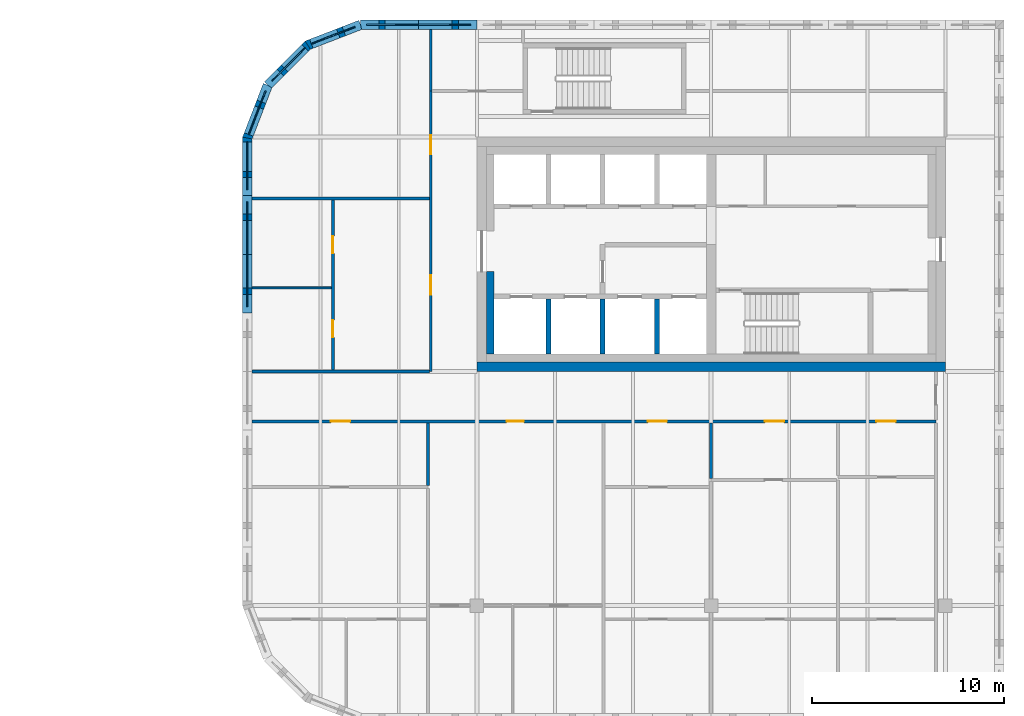
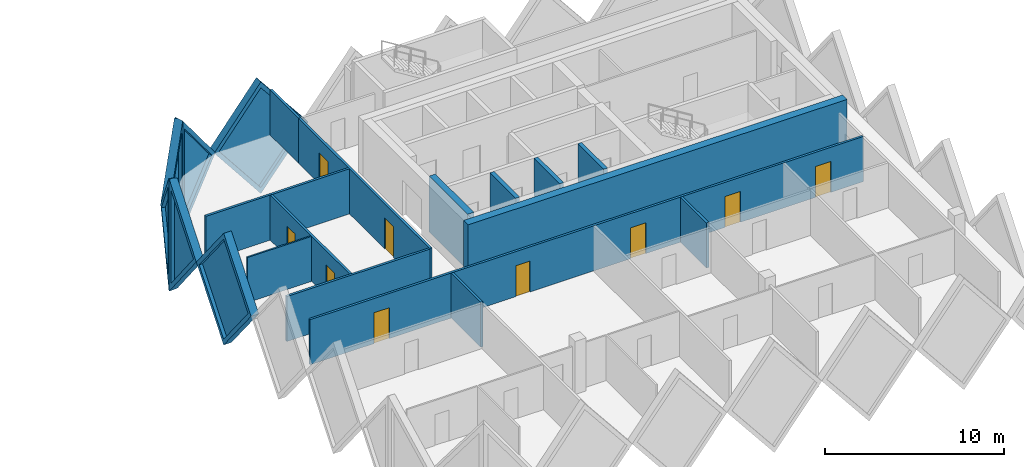
# One storey, part 13 of 18: 20 walls, 9 doors, 6 plates, 15 openings.
"""IFC4 building model written with IfcOpenShell, lengths in metres."""

from ifc_helpers import new_model, si_unit, direction, frame, frame_2d, origin, place, context, subcontext, project, spatial, polyline, rectangle, outline, extrude, faceted_brep, source, transform, mapped, material, layer, layer_set, type_object, element, fill, save


model = new_model("IFC4")

# Units and contexts
model_context = context("Model", 3, precision=1e-05, world=origin(), true_north=direction((0.0, 1.0)))
body_context = subcontext(model_context, "Body", "Model", "MODEL_VIEW")
ifc_project = project(units=[si_unit("LENGTHUNIT", "METRE"), si_unit("AREAUNIT", "SQUARE_METRE"), si_unit("VOLUMEUNIT", "CUBIC_METRE"), si_unit("PLANEANGLEUNIT", "RADIAN"), si_unit("MASSUNIT", "GRAM", prefix="KILO")], contexts=[model_context])

# Site, building, storey
site_placement = place(None, origin())
site = spatial("IfcSite", under=ifc_project, at=site_placement, CompositionType="ELEMENT")
building_placement = place(site_placement, origin())
building = spatial("IfcBuilding", under=site, at=building_placement, Name="Tessera Gate Towers", CompositionType="ELEMENT")
storey_placement = place(building_placement, frame((0.0, 0.0, 99.0)))
storey = spatial("IfcBuildingStorey", under=building, at=storey_placement, Name="L24", CompositionType="ELEMENT", Elevation=99.0)

# Walls
ifc_material_1 = material(Name="Concrete C40/50", Category="concrete")
ifc_layer_1 = layer(ifc_material_1, 0.25)
ifc_layer_set_1 = layer_set([ifc_layer_1], Name="CORE ENCLOSURE WALL 250")
wall_type_1 = type_object("IfcWallType", Name="CORE ENCLOSURE WALL 250", PredefinedType="SOLIDWALL", material=ifc_layer_set_1)
for number, where, z_axis, x_axis, name in (
    (1, (104.14990234375, 37.5, 0.0), (0.0, 0.0, 1.0), (0.0, 1.0, 0.0), "L24 shaft and stair enclosure wall"),
    (2, (101.324951171875, 37.5, 0.0), (0.0, 0.0, 1.0), (0.0, 1.0, 0.0), "L24 shaft and stair enclosure wall"),
    (3, (106.97509765625, 37.5, 0.0), (0.0, 0.0, 1.0), (0.0, 1.0, 0.0), "L24 shaft and stair enclosure wall"),
):
    element("IfcWall", number, at=place(storey_placement, frame(where, z_axis=z_axis, x_axis=x_axis)), inside=storey, type_object=wall_type_1, Name=name, PredefinedType="SOLIDWALL", context=body_context, shape_type="SweptSolid", body=[
        extrude(rectangle(XDim=2.875, YDim=0.25, at=frame_2d((1.4375, 0.0))), origin(), (0.0, 0.0, 1.0), 3.800048828125),
    ])
ifc_material_2 = material(Name="Concrete C50/60", Category="concrete")
ifc_layer_2 = layer(ifc_material_2, 0.5)
ifc_layer_set_2 = layer_set([ifc_layer_2], Name="CORE SHEAR WALL 500 C50/60")
wall_type_2 = type_object("IfcWallType", Name="CORE SHEAR WALL 500 C50/60", PredefinedType="SHEAR", material=ifc_layer_set_2)
wall_1_placement = place(storey_placement, frame((122.0, 36.85009765625, 0.0), z_axis=(0.0, 0.0, 1.0), x_axis=(-1.0, 0.0, 0.0)))
element("IfcWall", 4, at=wall_1_placement, inside=storey, type_object=wall_type_2, Name="Core wall S L24", PredefinedType="SHEAR", context=body_context, shape_type="SweptSolid", body=[
    extrude(rectangle(XDim=24.39990234375, YDim=0.5, at=frame_2d((12.199951171875, 0.0))), origin(), (0.0, 0.0, 1.0), 3.800048828125),
])
ifc_material_3 = material(Name="Concrete C50/60", Category="concrete")
ifc_layer_3 = layer(ifc_material_3, 0.39990234375)
ifc_layer_set_3 = layer_set([ifc_layer_3], Name="CORE WALL THICKENING 400")
wall_type_3 = type_object("IfcWallType", Name="CORE WALL THICKENING 400", PredefinedType="SOLIDWALL", material=ifc_layer_set_3)
wall_2_placement = place(storey_placement, frame((98.300048828125, 37.5, 0.0), z_axis=(0.0, 0.0, 1.0), x_axis=(0.0, 1.0, 0.0)))
element("IfcWall", 5, at=wall_2_placement, inside=storey, type_object=wall_type_3, Name="Core wall thickening W L24", PredefinedType="SOLIDWALL", context=body_context, shape_type="SweptSolid", body=[
    extrude(rectangle(XDim=4.300048828125, YDim=0.39990234375, at=frame_2d((2.14990234375, 0.0))), origin(), (0.0, 0.0, 1.0), 3.800048828125),
])

# Wall, openings, doors
ifc_material_4 = material(Name="Gypsum board on steel studs, mineral wool", Category="steel")
ifc_layer_4 = layer(ifc_material_4, 0.14990234375)
ifc_layer_set_4 = layer_set([ifc_layer_4], Name="CORRIDOR WALL 150")
wall_type_4 = type_object("IfcWallType", Name="CORRIDOR WALL 150", PredefinedType="PARTITIONING", material=ifc_layer_set_4)
wall_3_placement = place(storey_placement, frame((121.5, 34.0, 0.0), z_axis=(0.0, 0.0, 1.0), x_axis=(-1.0, 0.0, 0.0)))
wall_3 = element("IfcWall", 6, at=wall_3_placement, inside=storey, type_object=wall_type_4, Name="T2-L24-PW-024", PredefinedType="PARTITIONING", context=body_context, shape_type="SweptSolid", body=[
    extrude(rectangle(XDim=35.60009765625, YDim=0.14990234375, at=frame_2d((17.800048828125, 0.0))), origin(), (0.0, 0.0, 1.0), 3.06689453125),
])
shared_shape_1 = source(origin(), body_context, "Body", "SweptSolid", [
    extrude(rectangle(XDim=1.0, YDim=2.10009765625, at=frame_2d((0.5, 1.050048828125))), frame((0.0, 0.0849609375, 0.0), z_axis=(0.0, -1.0, 0.0), x_axis=(1.0, 0.0, 0.0)), (0.0, 0.0, 1.0), 0.169921875),
])
opening_1_placement = place(wall_3_placement, frame((2.09912109375, 0.0, 0.0)))
opening_1 = element("IfcOpeningElement", 7, at=opening_1_placement, cuts=wall_3, Name="Opening D2100FD60-B10-01", PredefinedType="OPENING", context=body_context, shape_type="MappedRepresentation", body=[
    mapped(shared_shape_1, transform((0.0, 0.0, 0.0), scale=1.0)),
])
opening_2_placement = place(wall_3_placement, frame((13.9990234375, 0.0, 0.0)))
opening_2 = element("IfcOpeningElement", 8, at=opening_2_placement, cuts=wall_3, Name="Opening D2100FD60-B10-02", PredefinedType="OPENING", context=body_context, shape_type="MappedRepresentation", body=[
    mapped(shared_shape_1, transform((0.0, 0.0, 0.0), scale=1.0)),
])
opening_3_placement = place(wall_3_placement, frame((7.89990234375, 0.0, 0.0)))
opening_3 = element("IfcOpeningElement", 9, at=opening_3_placement, cuts=wall_3, Name="Opening D2100FD60-B10-04", PredefinedType="OPENING", context=body_context, shape_type="MappedRepresentation", body=[
    mapped(shared_shape_1, transform((0.0, 0.0, 0.0), scale=1.0)),
])
opening_4_placement = place(wall_3_placement, frame((30.5, 0.0, 0.0)))
opening_4 = element("IfcOpeningElement", 10, at=opening_4_placement, cuts=wall_3, Name="Opening D2100FD60-B10-05", PredefinedType="OPENING", context=body_context, shape_type="MappedRepresentation", body=[
    mapped(shared_shape_1, transform((0.0, 0.0, 0.0), scale=1.0)),
])
shared_shape_2 = source(origin(), body_context, "Body", "SweptSolid", [
    extrude(rectangle(XDim=0.89990234375, YDim=2.10009765625, at=frame_2d((0.449951171875, 1.050048828125))), frame((0.0, 0.0849609375, 0.0), z_axis=(0.0, -1.0, 0.0), x_axis=(1.0, 0.0, 0.0)), (0.0, 0.0, 1.0), 0.169921875),
])
opening_5_placement = place(wall_3_placement, frame((21.449951171875, 0.0, 0.0)))
opening_5 = element("IfcOpeningElement", 11, at=opening_5_placement, cuts=wall_3, Name="Opening D890FD60-B10-02", PredefinedType="OPENING", context=body_context, shape_type="MappedRepresentation", body=[
    mapped(shared_shape_2, transform((0.0, 0.0, 0.0), scale=1.0)),
])
ifc_material_5 = material(Name="Timber door leaf in steel frame", Category="steel")
door_type_1 = type_object("IfcDoorType", Name="CORRIDOR DOOR 900 FD60", OperationType="NOTDEFINED", PredefinedType="DOOR", material=ifc_material_5)
shared_shape_3 = source(origin(), body_context, "Body", "SweptSolid", [
    extrude(rectangle(XDim=0.89990234375, YDim=2.10009765625, at=frame_2d((0.449951171875, 1.050048828125))), frame((0.0, 0.02490234375, 0.0), z_axis=(0.0, -1.0, 0.0), x_axis=(1.0, 0.0, 0.0)), (0.0, 0.0, 1.0), 0.050048828125),
])
door_1_placement = place(opening_5_placement, origin())
door_1 = element("IfcDoor", 12, at=door_1_placement, inside=storey, type_object=door_type_1, Name="T2-L24-PD-020", OperationType="SINGLE_SWING_RIGHT", OverallHeight=2.10009765625, OverallWidth=0.89990234375, PredefinedType="DOOR", context=body_context, shape_type="MappedRepresentation", body=[
    mapped(shared_shape_3, transform((0.0, 0.0, 0.0), scale=1.0)),
])
fill(opening_5, door_1)
ifc_material_6 = material(Name="Timber door leaf in steel frame", Category="steel")
door_type_2 = type_object("IfcDoorType", Name="TENANCY ENTRANCE DOOR 1000 FD60", OperationType="NOTDEFINED", PredefinedType="DOOR", material=ifc_material_6)
shared_shape_4 = source(origin(), body_context, "Body", "SweptSolid", [
    extrude(rectangle(XDim=1.0, YDim=2.10009765625, at=frame_2d((0.5, 1.050048828125))), frame((0.0, 0.02490234375, 0.0), z_axis=(0.0, -1.0, 0.0), x_axis=(1.0, 0.0, 0.0)), (0.0, 0.0, 1.0), 0.050048828125),
])
door_2_placement = place(opening_1_placement, origin())
door_2 = element("IfcDoor", 13, at=door_2_placement, inside=storey, type_object=door_type_2, Name="T2-L24-PD-010", OperationType="SINGLE_SWING_RIGHT", OverallHeight=2.10009765625, OverallWidth=1.0, PredefinedType="DOOR", context=body_context, shape_type="MappedRepresentation", body=[
    mapped(shared_shape_4, transform((0.0, 0.0, 0.0), scale=1.0)),
])
fill(opening_1, door_2)
door_3_placement = place(opening_2_placement, origin())
door_3 = element("IfcDoor", 14, at=door_3_placement, inside=storey, type_object=door_type_2, Name="T2-L24-PD-013", OperationType="SINGLE_SWING_RIGHT", OverallHeight=2.10009765625, OverallWidth=1.0, PredefinedType="DOOR", context=body_context, shape_type="MappedRepresentation", body=[
    mapped(shared_shape_4, transform((0.0, 0.0, 0.0), scale=1.0)),
])
fill(opening_2, door_3)
door_4_placement = place(opening_3_placement, origin())
door_4 = element("IfcDoor", 15, at=door_4_placement, inside=storey, type_object=door_type_2, Name="T2-L24-PD-017", OperationType="SINGLE_SWING_RIGHT", OverallHeight=2.10009765625, OverallWidth=1.0, PredefinedType="DOOR", context=body_context, shape_type="MappedRepresentation", body=[
    mapped(shared_shape_4, transform((0.0, 0.0, 0.0), scale=1.0)),
])
fill(opening_3, door_4)
door_5_placement = place(opening_4_placement, origin())
door_5 = element("IfcDoor", 16, at=door_5_placement, inside=storey, type_object=door_type_2, Name="T2-L24-PD-018", OperationType="SINGLE_SWING_RIGHT", OverallHeight=2.10009765625, OverallWidth=1.0, PredefinedType="DOOR", context=body_context, shape_type="MappedRepresentation", body=[
    mapped(shared_shape_4, transform((0.0, 0.0, 0.0), scale=1.0)),
])
fill(opening_4, door_5)

# Wall
wall_4_placement = place(storey_placement, frame((85.89990234375, 36.60009765625, 0.0), z_axis=(0.0, 0.0, 1.0), x_axis=(1.0, 0.0, 0.0)))
element("IfcWall", 17, at=wall_4_placement, inside=storey, type_object=wall_type_4, Name="T2-L24-PW-026", PredefinedType="PARTITIONING", context=body_context, shape_type="SweptSolid", body=[
    extrude(rectangle(XDim=9.22412109375, YDim=0.14990234375, at=frame_2d((4.612060546875, 0.0))), origin(), (0.0, 0.0, 1.0), 3.06689453125),
])

# Wall, openings, doors
wall_5_placement = place(storey_placement, frame((95.199951171875, 36.60009765625, 0.0), z_axis=(0.0, 0.0, 1.0), x_axis=(0.0, 1.0, 0.0)))
wall_5 = element("IfcWall", 18, at=wall_5_placement, inside=storey, type_object=wall_type_4, Name="T2-L24-PW-027", PredefinedType="PARTITIONING", context=body_context, shape_type="SweptSolid", body=[
    extrude(rectangle(XDim=14.599853515625, YDim=0.14990234375, at=frame_2d((7.2998046875, 0.0))), origin(), (0.0, 0.0, 1.0), 3.06689453125),
])
opening_6_placement = place(wall_5_placement, frame((11.301025390625, 0.0, 0.0)))
opening_6 = element("IfcOpeningElement", 19, at=opening_6_placement, cuts=wall_5, Name="Opening D2100FD60-B10-03", PredefinedType="OPENING", context=body_context, shape_type="MappedRepresentation", body=[
    mapped(shared_shape_1, transform((0.0, 0.0, 0.0), scale=1.0)),
])
opening_7_placement = place(wall_5_placement, frame((4.0, 0.0, 0.0)))
opening_7 = element("IfcOpeningElement", 20, at=opening_7_placement, cuts=wall_5, Name="Opening D2100FD60-B10-06", PredefinedType="OPENING", context=body_context, shape_type="MappedRepresentation", body=[
    mapped(shared_shape_1, transform((0.0, 0.0, 0.0), scale=1.0)),
])
door_6_placement = place(opening_6_placement, origin())
door_6 = element("IfcDoor", 21, at=door_6_placement, inside=storey, type_object=door_type_2, Name="T2-L24-PD-014", OperationType="SINGLE_SWING_LEFT", OverallHeight=2.10009765625, OverallWidth=1.0, PredefinedType="DOOR", context=body_context, shape_type="MappedRepresentation", body=[
    mapped(shared_shape_4, transform((0.0, 0.0, 0.0), scale=1.0)),
])
fill(opening_6, door_6)
door_7_placement = place(opening_7_placement, origin())
door_7 = element("IfcDoor", 22, at=door_7_placement, inside=storey, type_object=door_type_2, Name="T2-L24-PD-021", OperationType="SINGLE_SWING_LEFT", OverallHeight=2.10009765625, OverallWidth=1.0, PredefinedType="DOOR", context=body_context, shape_type="MappedRepresentation", body=[
    mapped(shared_shape_4, transform((0.0, 0.0, 0.0), scale=1.0)),
])
fill(opening_7, door_7)

# Walls
ifc_material_7 = material(Name="Gypsum board on steel studs", Category="steel")
ifc_layer_5 = layer(ifc_material_7, 0.10009765625)
ifc_layer_set_5 = layer_set([ifc_layer_5], Name="PARTITION 100")
wall_type_5 = type_object("IfcWallType", Name="PARTITION 100", PredefinedType="PARTITIONING", material=ifc_layer_set_5)
wall_6_placement = place(storey_placement, frame((85.89990234375, 40.947998046875, 0.0), z_axis=(0.0, 0.0, 1.0), x_axis=(1.0, 0.0, 0.0)))
element("IfcWall", 23, at=wall_6_placement, inside=storey, type_object=wall_type_5, Name="T2-L24-PW-029", PredefinedType="PARTITIONING", context=body_context, shape_type="SweptSolid", body=[
    extrude(rectangle(XDim=4.1240234375, YDim=0.10009765625, at=frame_2d((2.06201171875, 0.0))), origin(), (0.0, 0.0, 1.0), 3.06689453125),
])
ifc_material_8 = material(Name="Gypsum board on steel studs, mineral wool", Category="steel")
ifc_layer_6 = layer(ifc_material_8, 0.14990234375)
ifc_layer_set_6 = layer_set([ifc_layer_6], Name="TENANCY WALL 150")
wall_type_6 = type_object("IfcWallType", Name="TENANCY WALL 150", PredefinedType="PARTITIONING", material=ifc_layer_set_6)
wall_7_placement = place(storey_placement, frame((95.050048828125, 30.65087890625, 0.0), z_axis=(0.0, 0.0, 1.0), x_axis=(0.0, 1.0, 0.0)))
element("IfcWall", 24, at=wall_7_placement, inside=storey, type_object=wall_type_6, Name="T2-L24-PW-019", PredefinedType="PARTITIONING", context=body_context, shape_type="SweptSolid", body=[
    extrude(rectangle(XDim=3.273193359375, YDim=0.14990234375, at=frame_2d((1.63671875, 0.0))), origin(), (0.0, 0.0, 1.0), 3.06689453125),
])
wall_8_placement = place(storey_placement, frame((109.800048828125, 31.02587890625, 0.0), z_axis=(0.0, 0.0, 1.0), x_axis=(0.0, 1.0, 0.0)))
element("IfcWall", 25, at=wall_8_placement, inside=storey, type_object=wall_type_6, Name="T2-L24-PW-021", PredefinedType="PARTITIONING", context=body_context, shape_type="SweptSolid", body=[
    extrude(rectangle(XDim=2.898193359375, YDim=0.14990234375, at=frame_2d((1.44921875, 0.0))), origin(), (0.0, 0.0, 1.0), 3.06689453125),
])

# Wall, openings, doors
wall_9_placement = place(storey_placement, frame((90.10009765625, 36.676025390625, 0.0), z_axis=(0.0, 0.0, 1.0), x_axis=(0.0, 1.0, 0.0)))
wall_9 = element("IfcWall", 26, at=wall_9_placement, inside=storey, type_object=wall_type_6, Name="T2-L24-PW-028", PredefinedType="PARTITIONING", context=body_context, shape_type="SweptSolid", body=[
    extrude(rectangle(XDim=8.847900390625, YDim=0.14990234375, at=frame_2d((4.423828125, 0.0))), origin(), (0.0, 0.0, 1.0), 3.06689453125),
])
opening_8_placement = place(wall_9_placement, frame((1.699951171875, 0.0, 0.0)))
opening_8 = element("IfcOpeningElement", 27, at=opening_8_placement, cuts=wall_9, Name="Opening D190-B10-03", PredefinedType="OPENING", context=body_context, shape_type="MappedRepresentation", body=[
    mapped(shared_shape_2, transform((0.0, 0.0, 0.0), scale=1.0)),
])
opening_9_placement = place(wall_9_placement, frame((6.07177734375, 0.0, 0.0)))
opening_9 = element("IfcOpeningElement", 28, at=opening_9_placement, cuts=wall_9, Name="Opening D190-B10-05", PredefinedType="OPENING", context=body_context, shape_type="MappedRepresentation", body=[
    mapped(shared_shape_2, transform((0.0, 0.0, 0.0), scale=1.0)),
])
ifc_material_9 = material(Name="Timber door leaf in steel frame", Category="steel")
door_type_3 = type_object("IfcDoorType", Name="INTERNAL DOOR 900 NOT RATED", OperationType="NOTDEFINED", PredefinedType="DOOR", material=ifc_material_9)
door_8_placement = place(opening_8_placement, origin())
door_8 = element("IfcDoor", 29, at=door_8_placement, inside=storey, type_object=door_type_3, Name="T2-L24-PD-003", OperationType="SINGLE_SWING_LEFT", OverallHeight=2.10009765625, OverallWidth=0.89990234375, PredefinedType="DOOR", context=body_context, shape_type="MappedRepresentation", body=[
    mapped(shared_shape_3, transform((0.0, 0.0, 0.0), scale=1.0)),
])
fill(opening_8, door_8)
door_9_placement = place(opening_9_placement, origin())
door_9 = element("IfcDoor", 30, at=door_9_placement, inside=storey, type_object=door_type_3, Name="T2-L24-PD-005", OperationType="SINGLE_SWING_LEFT", OverallHeight=2.10009765625, OverallWidth=0.89990234375, PredefinedType="DOOR", context=body_context, shape_type="MappedRepresentation", body=[
    mapped(shared_shape_3, transform((0.0, 0.0, 0.0), scale=1.0)),
])
fill(opening_9, door_9)

# Walls
wall_10_placement = place(storey_placement, frame((85.89990234375, 45.60009765625, 0.0), z_axis=(0.0, 0.0, 1.0), x_axis=(1.0, 0.0, 0.0)))
element("IfcWall", 31, at=wall_10_placement, inside=storey, type_object=wall_type_6, Name="T2-L24-PW-030", PredefinedType="PARTITIONING", context=body_context, shape_type="SweptSolid", body=[
    extrude(rectangle(XDim=9.22412109375, YDim=0.14990234375, at=frame_2d((4.612060546875, 0.0))), origin(), (0.0, 0.0, 1.0), 3.06689453125),
])
wall_11_placement = place(storey_placement, frame((95.199951171875, 51.200927734375, 0.0), z_axis=(0.0, 0.0, 1.0), x_axis=(0.0, 1.0, 0.0)))
element("IfcWall", 32, at=wall_11_placement, inside=storey, type_object=wall_type_6, Name="T2-L24-PW-032", PredefinedType="PARTITIONING", context=body_context, shape_type="SweptSolid", body=[
    extrude(rectangle(XDim=3.198974609375, YDim=0.14990234375, at=frame_2d((1.599609375, 0.0))), origin(), (0.0, 0.0, 1.0), 3.06689453125),
])

# Wall, opening, plate
ifc_material_10 = material(Name="Precast concrete C60/75 white", Category="concrete")
ifc_layer_7 = layer(ifc_material_10, 0.5)
ifc_layer_set_7 = layer_set([ifc_layer_7], Name="TS1 tessera")
wall_type_7 = type_object("IfcWallType", Name="TS1 tessera", PredefinedType="SOLIDWALL", material=ifc_layer_set_7)
shared_shape_5 = source(origin(), body_context, "Body", "SweptSolid", [
    extrude(outline(polyline([(3.050048828125, 0.0), (6.10009765625, 3.800048828125), (3.050048828125, 7.60009765625), (0.0, 3.800048828125), (3.050048828125, 0.0)])), frame((0.0, 0.25, 0.0), z_axis=(0.0, -1.0, 0.0), x_axis=(1.0, 0.0, 0.0)), (0.0, 0.0, 1.0), 0.5),
])
wall_12_placement = place(storey_placement, frame((85.64990234375, 45.75, -3.800048828125), z_axis=(0.0, 0.0, 1.0), x_axis=(0.0, -1.0, 0.0)))
wall_12 = element("IfcWall", 33, at=wall_12_placement, inside=storey, type_object=wall_type_7, Name="Precast tessera T2 TS1-0303", PredefinedType="SOLIDWALL", context=body_context, shape_type="MappedRepresentation", body=[
    mapped(shared_shape_5, transform((0.0, 0.0, 0.0), scale=1.0)),
])
shared_shape_6 = source(origin(), body_context, "Body", "SweptSolid", [
    extrude(outline(polyline([(3.050048828125, 0.3994140625), (5.779541015625, 3.800048828125), (3.050048828125, 7.20068359375), (0.320556640625, 3.800048828125), (3.050048828125, 0.3994140625)])), frame((0.0, 0.260009765625, 0.0), z_axis=(0.0, -1.0, 0.0), x_axis=(1.0, 0.0, 0.0)), (0.0, 0.0, 1.0), 0.52001953125),
])
opening_10_placement = place(wall_12_placement, origin())
opening_10 = element("IfcOpeningElement", 34, at=opening_10_placement, cuts=wall_12, Name="Opening T2-PL2-0567", PredefinedType="OPENING", context=body_context, shape_type="MappedRepresentation", body=[
    mapped(shared_shape_6, transform((0.0, 0.0, 0.0), scale=1.0)),
])
ifc_material_11 = material(Name="Low-e laminated glass", Category="glass")
ifc_layer_8 = layer(ifc_material_11, 0.06005859375)
ifc_layer_set_8 = layer_set([ifc_layer_8], Name="PL2 rhombic pane")
plate_type = type_object("IfcPlateType", Name="PL2 rhombic pane", PredefinedType="SHEET", material=ifc_layer_set_8)
shared_shape_7 = source(origin(), body_context, "Body", "SweptSolid", [
    extrude(outline(polyline([(3.050048828125, 0.3994140625), (5.779541015625, 3.800048828125), (3.050048828125, 7.20068359375), (0.320556640625, 3.800048828125), (3.050048828125, 0.3994140625)])), frame((0.0, 0.030029296875, 0.0), z_axis=(0.0, -1.0, 0.0), x_axis=(1.0, 0.0, 0.0)), (0.0, 0.0, 1.0), 0.06005859375),
])
plate_1_placement = place(opening_10_placement, origin())
plate_1 = element("IfcPlate", 35, at=plate_1_placement, inside=storey, type_object=plate_type, Name="Glass pane T2 PL2-0567", PredefinedType="SHEET", context=body_context, shape_type="MappedRepresentation", body=[
    mapped(shared_shape_7, transform((0.0, 0.0, 0.0), scale=1.0)),
])
fill(opening_10, plate_1)

shared_shape_8 = source(origin(), body_context, "Body", "Brep", [
    faceted_brep([(3.050048828125, -0.25, 0.0), (6.053466796875, -0.25, 3.800048828125), (3.050048828125, -0.25, 7.60009765625), (0.0, -0.25, 3.800048828125), (0.0, 0.25, 3.800048828125), (3.050048828125, 0.25, 7.60009765625), (6.0068359375, 0.25, 3.85888671875), (6.0068359375, 0.25, 3.7412109375), (3.050048828125, 0.25, 0.0), (6.053466796875, 0.0, 3.800048828125)], [[[0, 1, 2, 3]], [[4, 5, 6, 7, 8]], [[8, 7, 9, 1, 0]], [[6, 5, 2, 1, 9]], [[5, 4, 3, 2]], [[4, 8, 0, 3]], [[9, 7, 6]]]),
])
wall_13_placement = place(storey_placement, frame((97.60009765625, 54.64990234375, -3.800048828125), z_axis=(0.0, 0.0, 1.0), x_axis=(-1.0, 0.0, 0.0)))
wall_13 = element("IfcWall", 36, at=wall_13_placement, inside=storey, type_object=wall_type_7, Name="Precast tessera T2 TS1-0302", PredefinedType="SOLIDWALL", context=body_context, shape_type="MappedRepresentation", body=[
    mapped(shared_shape_8, transform((0.0, 0.0, 0.0), scale=1.0)),
])
shared_shape_9 = source(origin(), body_context, "Body", "SweptSolid", [
    extrude(outline(polyline([(3.048583984375, 0.4013671875), (5.73486328125, 3.800048828125), (3.048583984375, 7.19873046875), (0.320556640625, 3.800048828125), (3.048583984375, 0.4013671875)])), frame((0.0, 0.260009765625, 0.0), z_axis=(0.0, -1.0, 0.0), x_axis=(1.0, 0.0, 0.0)), (0.0, 0.0, 1.0), 0.52001953125),
])
opening_11_placement = place(wall_13_placement, origin())
opening_11 = element("IfcOpeningElement", 37, at=opening_11_placement, cuts=wall_13, Name="Opening T2-PL2-0562", PredefinedType="OPENING", context=body_context, shape_type="MappedRepresentation", body=[
    mapped(shared_shape_9, transform((0.0, 0.0, 0.0), scale=1.0)),
])
shared_shape_10 = source(origin(), body_context, "Body", "SweptSolid", [
    extrude(outline(polyline([(3.048583984375, 0.4013671875), (5.73486328125, 3.800048828125), (3.048583984375, 7.19873046875), (0.320556640625, 3.800048828125), (3.048583984375, 0.4013671875)])), frame((0.0, 0.030029296875, 0.0), z_axis=(0.0, -1.0, 0.0), x_axis=(1.0, 0.0, 0.0)), (0.0, 0.0, 1.0), 0.06005859375),
])
plate_2_placement = place(opening_11_placement, origin())
plate_2 = element("IfcPlate", 38, at=plate_2_placement, inside=storey, type_object=plate_type, Name="Glass pane T2 PL2-0562", PredefinedType="SHEET", context=body_context, shape_type="MappedRepresentation", body=[
    mapped(shared_shape_10, transform((0.0, 0.0, 0.0), scale=1.0)),
])
fill(opening_11, plate_2)

ifc_material_12 = material(Name="Precast concrete C60/75 white", Category="concrete")
ifc_layer_9 = layer(ifc_material_12, 0.5)
ifc_layer_set_9 = layer_set([ifc_layer_9], Name="TS3 corner tessera")
wall_type_8 = type_object("IfcWallType", Name="TS3 corner tessera", PredefinedType="SOLIDWALL", material=ifc_layer_set_9)
shared_shape_11 = source(origin(), body_context, "Body", "Brep", [
    faceted_brep([(2.950439453125, -0.25, 0.0), (3.00341796875, -0.25, 0.068359375), (3.00341796875, -0.25, 7.53173828125), (2.950439453125, -0.25, 7.60009765625), (0.0, -0.25, 3.800048828125), (0.046630859375, 0.25, 3.860107421875), (2.897705078125, 0.25, 7.531982421875), (2.897705078125, 0.25, 0.068115234375), (0.046630859375, 0.25, 3.739990234375), (2.950439453125, 0.00048828125, 0.0), (2.950439453125, 0.00048828125, 7.60009765625), (0.0, 0.0, 3.800048828125)], [[[0, 1, 2, 3, 4]], [[5, 6, 7, 8]], [[1, 0, 9]], [[10, 3, 2]], [[6, 5, 11, 4, 3, 10]], [[8, 7, 9, 0, 4, 11]], [[8, 11, 5]], [[1, 9, 7, 6, 10, 2]]]),
])
wall_14_placement = place(storey_placement, frame((91.546630859375, 54.64990234375, -3.800048828125), z_axis=(0.0, 0.0, 1.0), x_axis=(-0.933007896601, -0.359855894603, 0.0)))
wall_14 = element("IfcWall", 39, at=wall_14_placement, inside=storey, type_object=wall_type_8, Name="Precast corner tessera T2 TS3-0365", PredefinedType="SOLIDWALL", context=body_context, shape_type="MappedRepresentation", body=[
    mapped(shared_shape_11, transform((0.0, 0.0, 0.0), scale=1.0)),
])
shared_shape_12 = source(origin(), body_context, "Body", "SweptSolid", [
    extrude(outline(polyline([(2.75048828125, 6.934814453125), (0.31640625, 3.800048828125), (2.75048828125, 0.665283203125), (2.75048828125, 6.934814453125)])), frame((0.0, 0.260009765625, 0.0), z_axis=(0.0, -1.0, 0.0), x_axis=(1.0, 0.0, 0.0)), (0.0, 0.0, 1.0), 0.52001953125),
])
opening_12_placement = place(wall_14_placement, origin())
opening_12 = element("IfcOpeningElement", 40, at=opening_12_placement, cuts=wall_14, Name="Opening T2-PL2-0563", PredefinedType="OPENING", context=body_context, shape_type="MappedRepresentation", body=[
    mapped(shared_shape_12, transform((0.0, 0.0, 0.0), scale=1.0)),
])
shared_shape_13 = source(origin(), body_context, "Body", "SweptSolid", [
    extrude(outline(polyline([(2.75048828125, 6.934814453125), (0.31640625, 3.800048828125), (2.75048828125, 0.665283203125), (2.75048828125, 6.934814453125)])), frame((0.0, 0.030029296875, 0.0), z_axis=(0.0, -1.0, 0.0), x_axis=(1.0, 0.0, 0.0)), (0.0, 0.0, 1.0), 0.06005859375),
])
plate_3_placement = place(opening_12_placement, origin())
plate_3 = element("IfcPlate", 41, at=plate_3_placement, inside=storey, type_object=plate_type, Name="Glass pane T2 PL2-0563", PredefinedType="SHEET", context=body_context, shape_type="MappedRepresentation", body=[
    mapped(shared_shape_13, transform((0.0, 0.0, 0.0), scale=1.0)),
])
fill(opening_12, plate_3)

shared_shape_14 = source(origin(), body_context, "Body", "Brep", [
    faceted_brep([(0.052978515625, -0.25, 0.0), (2.9970703125, -0.25, 3.800048828125), (0.052978515625, -0.25, 7.60009765625), (0.0, -0.25, 7.531982421875), (0.0, -0.25, 0.068115234375), (0.10595703125, 0.25, 7.53173828125), (2.944091796875, 0.25, 3.8681640625), (2.944091796875, 0.25, 3.73193359375), (0.10595703125, 0.25, 0.068359375), (2.9970703125, 0.000244140625, 3.800048828125), (0.052978515625, 0.0, 0.0), (0.052978515625, 0.0, 7.60009765625)], [[[0, 1, 2, 3, 4]], [[5, 6, 7, 8]], [[8, 7, 9, 1, 0, 10]], [[6, 5, 11, 2, 1, 9]], [[3, 2, 11]], [[10, 0, 4]], [[8, 10, 4, 3, 11, 5]], [[9, 7, 6]]]),
])
wall_15_placement = place(storey_placement, frame((88.831298828125, 53.62548828125, -3.800048828125), z_axis=(0.0, 0.0, 1.0), x_axis=(-0.707147509625, -0.707066050402, 0.0)))
wall_15 = element("IfcWall", 42, at=wall_15_placement, inside=storey, type_object=wall_type_8, Name="Precast corner tessera T2 TS3-0366", PredefinedType="SOLIDWALL", context=body_context, shape_type="MappedRepresentation", body=[
    mapped(shared_shape_14, transform((0.0, 0.0, 0.0), scale=1.0)),
])
shared_shape_15 = source(origin(), body_context, "Body", "SweptSolid", [
    extrude(outline(polyline([(0.2529296875, 0.666259765625), (2.680908203125, 3.800048828125), (0.2529296875, 6.933837890625), (0.2529296875, 0.666259765625)])), frame((0.0, 0.260009765625, 0.0), z_axis=(0.0, -1.0, 0.0), x_axis=(1.0, 0.0, 0.0)), (0.0, 0.0, 1.0), 0.52001953125),
])
opening_13_placement = place(wall_15_placement, origin())
opening_13 = element("IfcOpeningElement", 43, at=opening_13_placement, cuts=wall_15, Name="Opening T2-PL2-0564", PredefinedType="OPENING", context=body_context, shape_type="MappedRepresentation", body=[
    mapped(shared_shape_15, transform((0.0, 0.0, 0.0), scale=1.0)),
])
shared_shape_16 = source(origin(), body_context, "Body", "SweptSolid", [
    extrude(outline(polyline([(0.2529296875, 0.666259765625), (2.680908203125, 3.800048828125), (0.2529296875, 6.933837890625), (0.2529296875, 0.666259765625)])), frame((0.0, 0.030029296875, 0.0), z_axis=(0.0, -1.0, 0.0), x_axis=(1.0, 0.0, 0.0)), (0.0, 0.0, 1.0), 0.06005859375),
])
plate_4_placement = place(opening_13_placement, origin())
plate_4 = element("IfcPlate", 44, at=plate_4_placement, inside=storey, type_object=plate_type, Name="Glass pane T2 PL2-0564", PredefinedType="SHEET", context=body_context, shape_type="MappedRepresentation", body=[
    mapped(shared_shape_16, transform((0.0, 0.0, 0.0), scale=1.0)),
])
fill(opening_13, plate_4)

shared_shape_17 = source(origin(), body_context, "Body", "Brep", [
    faceted_brep([(0.046630859375, -0.25, 0.0), (3.050048828125, -0.25, 3.800048828125), (0.046630859375, -0.25, 7.60009765625), (0.0, -0.25, 7.5400390625), (0.0, -0.25, 0.06005859375), (0.09326171875, 0.25, 7.541259765625), (3.050048828125, 0.25, 3.800048828125), (0.09326171875, 0.25, 0.058837890625), (0.046630859375, 0.0, 0.0), (0.046630859375, 0.0, 7.60009765625)], [[[0, 1, 2, 3, 4]], [[5, 6, 7]], [[7, 6, 1, 0, 8]], [[6, 5, 9, 2, 1]], [[3, 2, 9]], [[8, 0, 4]], [[7, 8, 4, 3, 9, 5]]]),
])
wall_16_placement = place(storey_placement, frame((85.64990234375, 48.800048828125, -3.800048828125), z_axis=(0.0, 0.0, 1.0), x_axis=(0.0, -1.0, 0.0)))
wall_16 = element("IfcWall", 45, at=wall_16_placement, inside=storey, type_object=wall_type_8, Name="Precast corner tessera T2 TS3-0368", PredefinedType="SOLIDWALL", context=body_context, shape_type="MappedRepresentation", body=[
    mapped(shared_shape_17, transform((0.0, 0.0, 0.0), scale=1.0)),
])
shared_shape_18 = source(origin(), body_context, "Body", "SweptSolid", [
    extrude(outline(polyline([(0.24658203125, 0.65625), (2.7314453125, 3.800048828125), (0.24658203125, 6.94384765625), (0.24658203125, 0.65625)])), frame((0.0, 0.260009765625, 0.0), z_axis=(0.0, -1.0, 0.0), x_axis=(1.0, 0.0, 0.0)), (0.0, 0.0, 1.0), 0.52001953125),
])
opening_14_placement = place(wall_16_placement, origin())
opening_14 = element("IfcOpeningElement", 46, at=opening_14_placement, cuts=wall_16, Name="Opening T2-PL2-0566", PredefinedType="OPENING", context=body_context, shape_type="MappedRepresentation", body=[
    mapped(shared_shape_18, transform((0.0, 0.0, 0.0), scale=1.0)),
])
shared_shape_19 = source(origin(), body_context, "Body", "SweptSolid", [
    extrude(outline(polyline([(0.24658203125, 0.65625), (2.7314453125, 3.800048828125), (0.24658203125, 6.94384765625), (0.24658203125, 0.65625)])), frame((0.0, 0.030029296875, 0.0), z_axis=(0.0, -1.0, 0.0), x_axis=(1.0, 0.0, 0.0)), (0.0, 0.0, 1.0), 0.06005859375),
])
plate_5_placement = place(opening_14_placement, origin())
plate_5 = element("IfcPlate", 47, at=plate_5_placement, inside=storey, type_object=plate_type, Name="Glass pane T2 PL2-0566", PredefinedType="SHEET", context=body_context, shape_type="MappedRepresentation", body=[
    mapped(shared_shape_19, transform((0.0, 0.0, 0.0), scale=1.0)),
])
fill(opening_14, plate_5)

shared_shape_20 = source(origin(), body_context, "Body", "Brep", [
    faceted_brep([(2.950439453125, -0.25, 0.0), (2.9970703125, -0.25, 0.05908203125), (2.9970703125, -0.25, 7.541015625), (2.950439453125, -0.25, 7.60009765625), (0.0, -0.25, 3.800048828125), (0.052978515625, 0.25, 3.8681640625), (2.904052734375, 0.25, 7.540283203125), (2.904052734375, 0.25, 0.059814453125), (0.052978515625, 0.25, 3.73193359375), (2.950439453125, 0.00048828125, 0.0), (2.950439453125, 0.00048828125, 7.60009765625), (0.0, 0.0, 3.800048828125)], [[[0, 1, 2, 3, 4]], [[5, 6, 7, 8]], [[1, 0, 9]], [[10, 3, 2]], [[6, 5, 11, 4, 3, 10]], [[8, 7, 9, 0, 4, 11]], [[8, 11, 5]], [[1, 9, 7, 6, 10, 2]]]),
])
wall_17_placement = place(storey_placement, frame((86.7119140625, 51.50634765625, -3.800048828125), z_axis=(0.0, 0.0, 1.0), x_axis=(-0.359874094142, -0.933000876937, 0.0)))
wall_17 = element("IfcWall", 48, at=wall_17_placement, inside=storey, type_object=wall_type_8, Name="Precast corner tessera T2 TS3-0367", PredefinedType="SOLIDWALL", context=body_context, shape_type="MappedRepresentation", body=[
    mapped(shared_shape_20, transform((0.0, 0.0, 0.0), scale=1.0)),
])
opening_15_placement = place(wall_17_placement, origin())
opening_15 = element("IfcOpeningElement", 49, at=opening_15_placement, cuts=wall_17, Name="Opening T2-PL2-0565", PredefinedType="OPENING", context=body_context, shape_type="MappedRepresentation", body=[
    mapped(shared_shape_12, transform((0.0, 0.0, 0.0), scale=1.0)),
])
plate_6_placement = place(opening_15_placement, origin())
plate_6 = element("IfcPlate", 50, at=plate_6_placement, inside=storey, type_object=plate_type, Name="Glass pane T2 PL2-0565", PredefinedType="SHEET", context=body_context, shape_type="MappedRepresentation", body=[
    mapped(shared_shape_13, transform((0.0, 0.0, 0.0), scale=1.0)),
])
fill(opening_15, plate_6)

save(model, "model.ifc")
